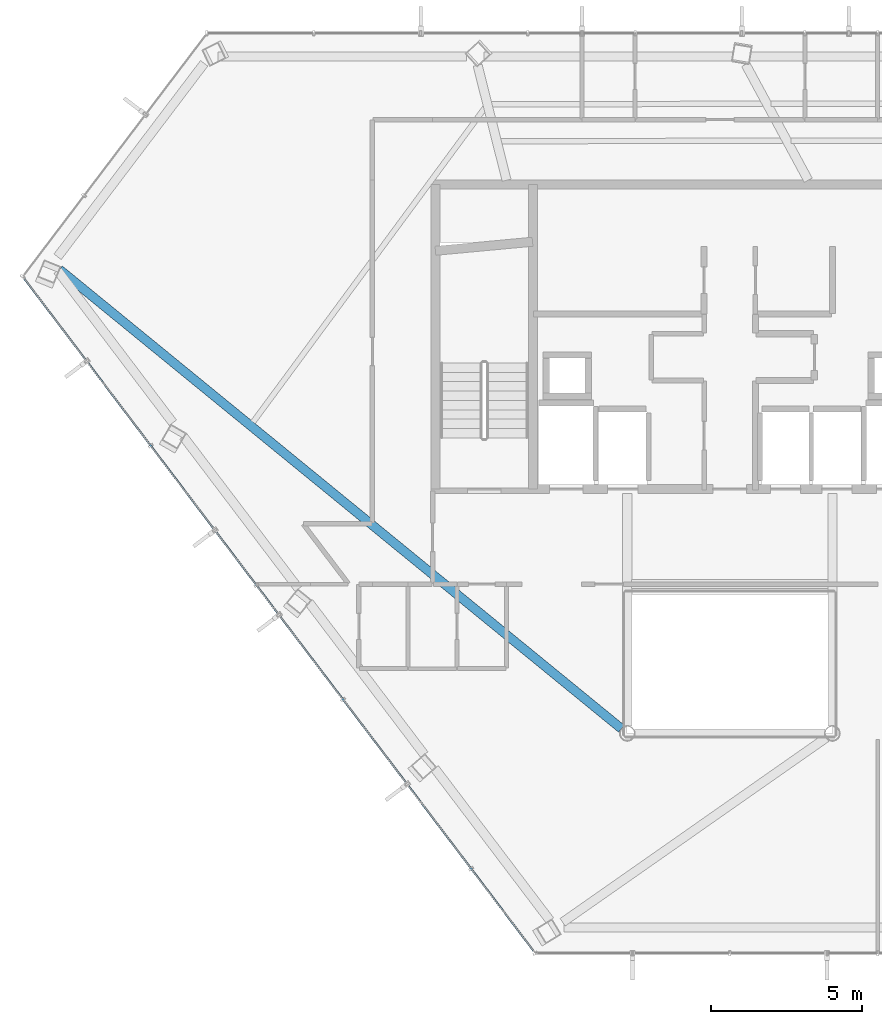
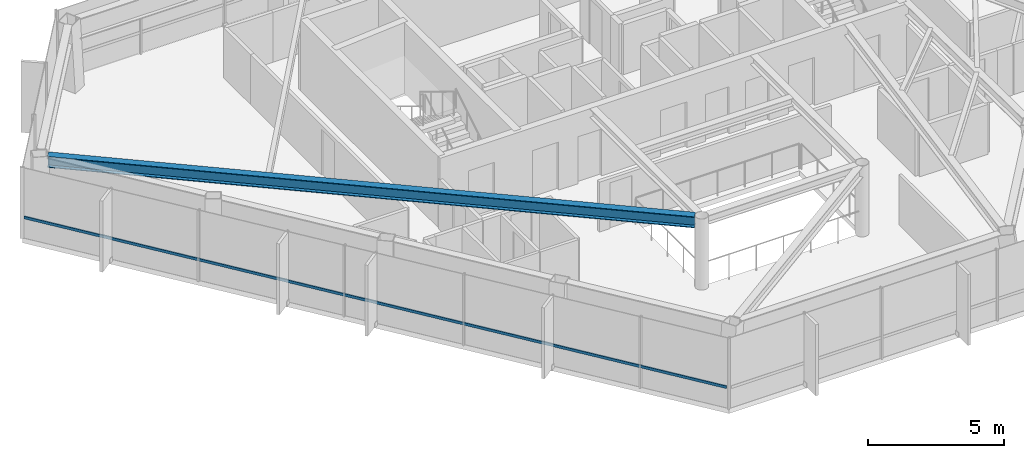
# One storey, part 4 of 27: 1 beam, 1 member, 1 element without a shape of its own.
"""IFC4 building model written with IfcOpenShell, lengths in metres."""

import ifcopenshell
import ifcopenshell.guid

model = None  # the IFC model being written
_history = None  # IfcOwnerHistory: only IFC2X3 demands one
_inside = {}  # id of a spatial element -> (the spatial element, [elements in it])
_under = {}  # id of a project, library or spatial element -> (it, [spatial elements below it])
_declared = {}  # id of a project -> (the project, [libraries it declares])
_typed = {}  # id of a type object -> (the type object, [elements of that type])
_made_of = {}  # id of a material, layer set ... -> (it, [elements and type objects made of it])


def new_model(schema):
    """Start an empty IFC model of exactly this schema.

    Asked for "IFC4X3", IfcOpenShell would pick the latest addendum, in which some entities
    have other attributes; the version numbers below select the first issue.
    IFC2X3 requires an IfcOwnerHistory on every rooted entity: one is made here for all.
    """
    global model, _history
    if schema == "IFC4X3":
        model = ifcopenshell.file(schema_version=(4, 3, 0, 0))
    else:
        model = ifcopenshell.file(schema=schema)
    _inside.clear()
    _under.clear()
    _declared.clear()
    _typed.clear()
    _made_of.clear()
    _history = None
    if model.schema == "IFC2X3":
        org = make("IfcOrganization", Name="unknown")
        user = make(
            "IfcPersonAndOrganization",
            ThePerson=make("IfcPerson", FamilyName="unknown"),
            TheOrganization=org,
        )
        app = make(
            "IfcApplication",
            ApplicationDeveloper=org,
            Version="unknown",
            ApplicationFullName="unknown",
            ApplicationIdentifier="unknown",
        )
        _history = make(
            "IfcOwnerHistory",
            OwningUser=user,
            OwningApplication=app,
            ChangeAction="ADDED",
            CreationDate=0,
        )
    return model


def make(cls, **values):
    """One entity of the class cls with the attributes given. An attribute that is None is left unset."""
    return model.create_entity(
        cls, **{name: value for name, value in values.items() if value is not None}
    )


def rooted(cls, **values):
    """An entity with a GlobalId (a new one), such as an element, a storey or a relation."""
    return make(cls, GlobalId=ifcopenshell.guid.new(), OwnerHistory=_history, **values)


def si_unit(unit_type, name, prefix=None):
    """IfcSIUnit, for example si_unit("LENGTHUNIT", "METRE", prefix="MILLI")."""
    return make("IfcSIUnit", UnitType=unit_type, Prefix=prefix, Name=name)


def assignment(units):
    """IfcUnitAssignment: the units of a project."""
    return None if units is None else make("IfcUnitAssignment", Units=units)


def point(xyz):
    """IfcCartesianPoint."""
    return None if xyz is None else make("IfcCartesianPoint", Coordinates=xyz)


def direction(xyz):
    """IfcDirection."""
    return None if xyz is None else make("IfcDirection", DirectionRatios=xyz)


def frame(location, z_axis=None, x_axis=None):
    """IfcAxis2Placement3D, a coordinate frame: its origin and axes. An axis left out is left unset."""
    return make(
        "IfcAxis2Placement3D",
        Location=point(location),
        Axis=direction(z_axis),
        RefDirection=direction(x_axis),
    )


def frame_2d(location, x_axis=None):
    """IfcAxis2Placement2D, a coordinate frame in the plane: its origin and x axis."""
    return make(
        "IfcAxis2Placement2D", Location=point(location), RefDirection=direction(x_axis)
    )


def origin():
    """The frame at (0, 0, 0) with its axes left unset."""
    return frame((0.0, 0.0, 0.0))


def origin_2d():
    """The frame at (0, 0) in the plane with its x axis left unset."""
    return frame_2d((0.0, 0.0))


def place(relative_to, where):
    """IfcLocalPlacement: puts the frame where relative to a parent placement (None: the world)."""
    return make(
        "IfcLocalPlacement", PlacementRelTo=relative_to, RelativePlacement=where
    )


def context(
    kind, dimensions, precision=None, world=None, true_north=None, identifier=None
):
    """IfcGeometricRepresentationContext, for example the 3D "Model" context."""
    return make(
        "IfcGeometricRepresentationContext",
        ContextIdentifier=identifier,
        ContextType=kind,
        CoordinateSpaceDimension=dimensions,
        Precision=precision,
        WorldCoordinateSystem=world,
        TrueNorth=true_north,
    )


def subcontext(parent, identifier, kind, view, scale=None):
    """IfcGeometricRepresentationSubContext, for example "Body" below "Model"."""
    return make(
        "IfcGeometricRepresentationSubContext",
        ContextIdentifier=identifier,
        ContextType=kind,
        ParentContext=parent,
        TargetScale=scale,
        TargetView=view,
    )


def project(units=None, contexts=None):
    """IfcProject with its units and contexts."""
    return rooted(
        "IfcProject",
        Name="project",
        RepresentationContexts=contexts,
        UnitsInContext=assignment(units),
    )


def spatial(cls, under=None, at=None, **own):
    """A site, building, storey or space (cls), placed at a placement, below another one or the project."""
    s = rooted(cls, ObjectPlacement=at, **own)
    if under is not None:
        _under.setdefault(under.id(), (under, []))[1].append(s)
    return s


def profile(cls, at=None, kind="AREA", **sizes):
    """A parametric profile (cls). Its sizes go by their IFC names, for example OverallWidth=200.0."""
    return make(cls, ProfileType=kind, Position=at, **sizes)


def hollow_rectangle(**sizes):
    """IfcRectangleHollowProfileDef."""
    return profile("IfcRectangleHollowProfileDef", **sizes)


def i_section(**sizes):
    """IfcIShapeProfileDef."""
    return profile("IfcIShapeProfileDef", **sizes)


def extrude(swept, where, along, depth):
    """IfcExtrudedAreaSolid: the profile swept, set in the frame where, extruded along a direction by depth."""
    return make(
        "IfcExtrudedAreaSolid",
        SweptArea=swept,
        Position=where,
        ExtrudedDirection=direction(along),
        Depth=depth,
    )


def shape(context_of_items, identifier, shape_type, items):
    """IfcShapeRepresentation: the items that make up one representation, for example the "Body"."""
    return make(
        "IfcShapeRepresentation",
        ContextOfItems=context_of_items,
        RepresentationIdentifier=identifier,
        RepresentationType=shape_type,
        Items=items,
    )


def material(Name=None, Category=None):
    """IfcMaterial."""
    return make("IfcMaterial", Name=Name, Category=Category)


def layer(
    of_material, thickness, ventilated=None, Name=None, Category=None, Priority=None
):
    """IfcMaterialLayer: one layer of a wall or slab, of a material (None: an air gap)."""
    return make(
        "IfcMaterialLayer",
        Material=of_material,
        LayerThickness=thickness,
        IsVentilated=ventilated,
        Name=Name,
        Category=Category,
        Priority=Priority,
    )


def layer_set(layers, Name=None):
    """IfcMaterialLayerSet."""
    return make("IfcMaterialLayerSet", MaterialLayers=layers, LayerSetName=Name)


def material_profile(
    of_material, cross_section, Name=None, Category=None, Priority=None
):
    """IfcMaterialProfile: a cross section and its material."""
    return make(
        "IfcMaterialProfile",
        Name=Name,
        Material=of_material,
        Profile=cross_section,
        Priority=Priority,
        Category=Category,
    )


def profile_set(profiles, Name=None, composite=None):
    """IfcMaterialProfileSet."""
    return make(
        "IfcMaterialProfileSet",
        Name=Name,
        MaterialProfiles=profiles,
        CompositeProfile=composite,
    )


def made_of(thing, what):
    """Note that an element or type object is made of a material, layer set ...; save() writes the relation."""
    if what is not None:
        _made_of.setdefault(what.id(), (what, []))[1].append(thing)
    return thing


def type_object(cls, material=None, **own):
    """A type object (cls), such as IfcWallType, which elements share."""
    return made_of(rooted(cls, **own), material)


def element(
    cls,
    number,
    at=None,
    inside=None,
    cuts=None,
    type_object=None,
    material=None,
    context=None,
    identifier="Body",
    shape_type=None,
    held_by="IfcProductDefinitionShape",
    body=None,
    shapes=None,
    **own,
):
    """One element of the class cls, such as IfcWall. Its Tag is "e" and its number.

    at: its placement. inside: the storey or other place that contains it. cuts: it is an
    opening in that element (IfcRelVoidsElement). A single representation is given by context,
    identifier, shape_type and body (its items); several are given by shapes. held_by: the class
    of the entity that holds the representations. save() writes the other relations.
    """
    e = rooted(cls, Tag="e%d" % number, ObjectPlacement=at, **own)
    if body is not None:
        shapes = [shape(context, identifier, shape_type, body)]
    if shapes is not None:
        e.Representation = make(held_by, Representations=shapes)
    if inside is not None:
        _inside.setdefault(inside.id(), (inside, []))[1].append(e)
    if cuts is not None:
        rooted(
            "IfcRelVoidsElement", RelatingBuildingElement=cuts, RelatedOpeningElement=e
        )
    if type_object is not None:
        _typed.setdefault(type_object.id(), (type_object, []))[1].append(e)
    return made_of(e, material)


def aggregate(whole, parts):
    """IfcRelAggregates: a whole, such as a stair, and the parts it consists of."""
    return rooted("IfcRelAggregates", RelatingObject=whole, RelatedObjects=parts)


def save(model, path):
    """Write the relations noted so far, then the file.

    IfcRelAggregates (storeys below a building ...), IfcRelContainedInSpatialStructure (elements
    in a storey), IfcRelDefinesByType, IfcRelAssociatesMaterial and IfcRelDeclares: one each for
    every whole, place, type object, material and project.
    """
    for whole, parts in _under.values():
        aggregate(whole, parts)
    for where, things in _inside.values():
        rooted(
            "IfcRelContainedInSpatialStructure",
            RelatedElements=things,
            RelatingStructure=where,
        )
    for kind, things in _typed.values():
        rooted("IfcRelDefinesByType", RelatedObjects=things, RelatingType=kind)
    for what, things in _made_of.values():
        rooted("IfcRelAssociatesMaterial", RelatedObjects=things, RelatingMaterial=what)
    for by, libraries in _declared.values():
        rooted("IfcRelDeclares", RelatingContext=by, RelatedDefinitions=libraries)
    model.write(path)


model = new_model("IFC4")

# Units and contexts
model_context = context("Model", 3, precision=1e-05, world=origin(), true_north=direction((0.0, 1.0)))
body_context = subcontext(model_context, "Body", "Model", "MODEL_VIEW")
ifc_project = project(units=[si_unit("LENGTHUNIT", "METRE"), si_unit("AREAUNIT", "SQUARE_METRE"), si_unit("VOLUMEUNIT", "CUBIC_METRE"), si_unit("PLANEANGLEUNIT", "RADIAN"), si_unit("MASSUNIT", "GRAM", prefix="KILO")], contexts=[model_context])

# Site, building, storey
site_placement = place(None, origin())
site = spatial("IfcSite", under=ifc_project, at=site_placement, CompositionType="ELEMENT")
building_placement = place(site_placement, origin())
building = spatial("IfcBuilding", under=site, at=building_placement, Name="Zarrinselat Tower", CompositionType="ELEMENT")
storey_placement = place(building_placement, frame((0.0, 0.0, 215.56005859375)))
storey = spatial("IfcBuildingStorey", under=building, at=storey_placement, Name="L53", CompositionType="ELEMENT", Elevation=215.56005859375)

# Beam
ifc_material_1 = material(Name="Steel S355J2", Category="steel")
ifc_material_profile_1 = material_profile(ifc_material_1, i_section(OverallWidth=0.300048828125, OverallDepth=0.5, WebThickness=0.014404296875, FlangeThickness=0.028076171875, at=origin_2d()), Name="HEB 500")
ifc_profile_set_1 = profile_set([ifc_material_profile_1], Name="Steel S355J2")
beam_type = type_object("IfcBeamType", Name="BM-HEB500", PredefinedType="BEAM", material=ifc_profile_set_1)
beam_placement = place(storey_placement, frame((16.176025390625, 40.580810546875, 2.929931640625), z_axis=(0.774372184574, -0.632730368924, 0.0), x_axis=(0.632730368924, 0.774372184574, 0.0)))
element("IfcBeam", 1, at=beam_placement, inside=storey, type_object=beam_type, Name="L53 Radial Primary Girder RG06", PredefinedType="BEAM", context=body_context, shape_type="SweptSolid", body=[
    extrude(i_section(OverallWidth=0.300048828125, OverallDepth=0.5, WebThickness=0.014404296875, FlangeThickness=0.028076171875, at=origin_2d()), origin(), (0.0, 0.0, 1.0), 24.05859375),
])

# Curtain wall, member
ifc_material_2 = material(Name="Extruded Aluminium Alloy EN AW-6063 T6", Category="aluminium")
ifc_layer = layer(ifc_material_2, 0.169921875)
ifc_layer_set = layer_set([ifc_layer], Name="Extruded Aluminium Alloy EN AW-6063 T6")
curtain_wall_type = type_object("IfcCurtainWallType", Name="CWS-RES", PredefinedType="NOTDEFINED", material=ifc_layer_set)
curtain_wall_placement = place(storey_placement, origin())
curtain_wall = element("IfcCurtainWall", 2, at=curtain_wall_placement, inside=storey, type_object=curtain_wall_type, Name="L53 Unitised Curtain Wall CW-L53-E03", PredefinedType="NOTDEFINED")
ifc_material_3 = material(Name="Extruded Aluminium Alloy EN AW-6063 T6", Category="aluminium")
ifc_material_profile_2 = material_profile(ifc_material_3, hollow_rectangle(XDim=0.06005859375, YDim=0.1201171875, WallThickness=0.00390625, at=origin_2d()), Name="RHS 120x60x4")
ifc_profile_set_2 = profile_set([ifc_material_profile_2], Name="Extruded Aluminium Alloy EN AW-6063 T6")
member_type = type_object("IfcMemberType", Name="MEM-CW-TRN2", PredefinedType="USERDEFINED", material=ifc_profile_set_2)
member_placement = place(storey_placement, frame((15.0078125, 40.275390625, 0.949951171875), z_axis=(0.603860377036, -0.797090110995, 0.0), x_axis=(0.797090110995, 0.603860377036, 0.0)))
member = element("IfcMember", 3, at=member_placement, type_object=member_type, Name="CW-L53-E03 Transom 1", ObjectType="TRANSOM", PredefinedType="USERDEFINED", context=body_context, shape_type="SweptSolid", body=[
    extrude(hollow_rectangle(XDim=0.06005859375, YDim=0.1201171875, WallThickness=0.00390625, at=origin_2d()), origin(), (0.0, 0.0, 1.0), 27.96826171875),
])
aggregate(curtain_wall, [member])

save(model, "model.ifc")
